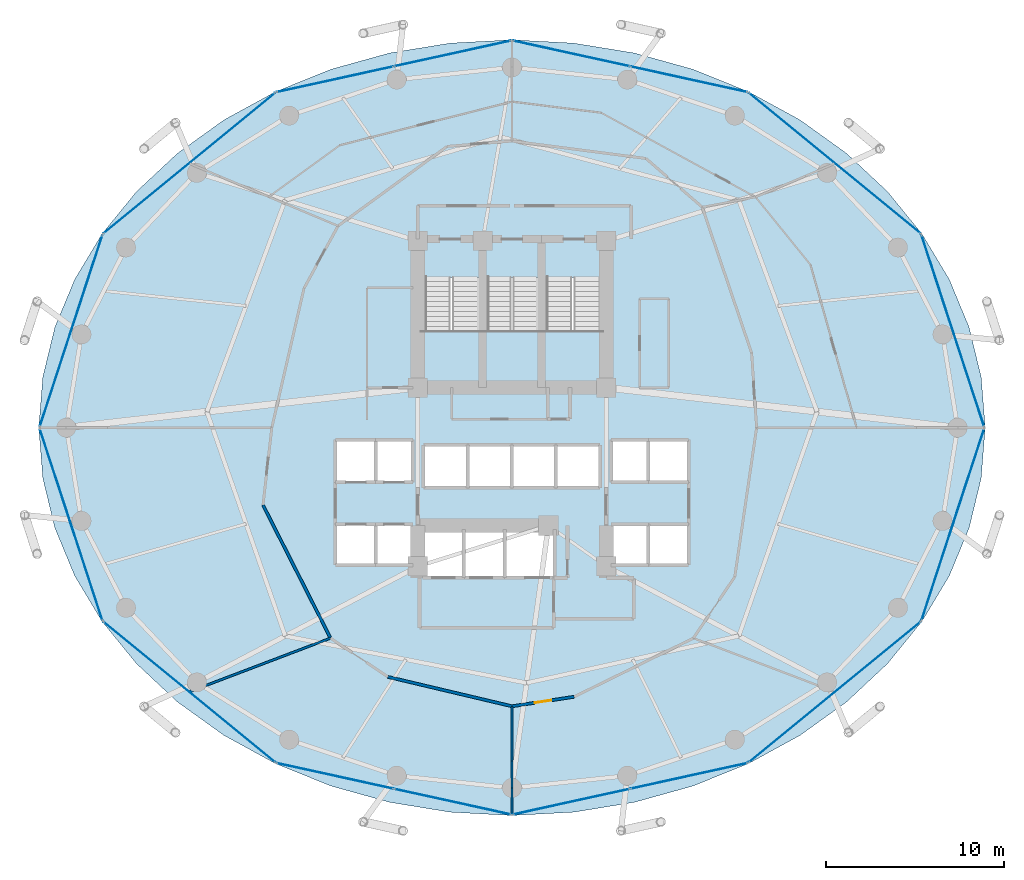
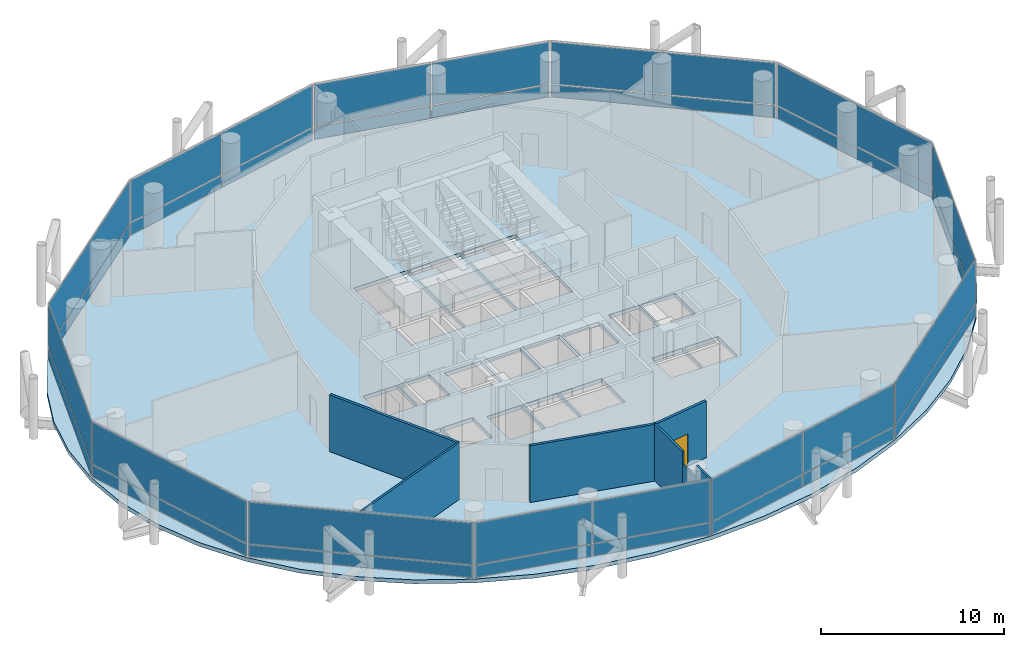
# One storey, part 20 of 25: 32 plates, 7 walls, 4 slabs, 1 door, 1 opening, 15 elements without a shape of their own.
"""IFC4 building model written with IfcOpenShell, lengths in metres."""

from ifc_helpers import new_model, si_unit, direction, frame, frame_2d, origin, origin_2d, place, context, subcontext, project, spatial, polyline, rectangle, outline, extrude, material, layer, layer_set, type_object, element, fill, aggregate, save


model = new_model("IFC4")

# Units and contexts
model_context = context("Model", 3, precision=1e-05, world=origin(), true_north=direction((0.0, 1.0)))
body_context = subcontext(model_context, "Body", "Model", "MODEL_VIEW")
ifc_project = project(units=[si_unit("LENGTHUNIT", "METRE"), si_unit("AREAUNIT", "SQUARE_METRE"), si_unit("VOLUMEUNIT", "CUBIC_METRE"), si_unit("PLANEANGLEUNIT", "RADIAN"), si_unit("MASSUNIT", "GRAM", prefix="KILO")], contexts=[model_context])

# Site, building, storey
site_placement = place(None, origin())
site = spatial("IfcSite", under=ifc_project, at=site_placement, CompositionType="ELEMENT")
building_placement = place(site_placement, origin())
building = spatial("IfcBuilding", under=site, at=building_placement, Name="Nuhasar Tower", CompositionType="ELEMENT")
storey_placement = place(building_placement, frame((0.0, 0.0, 49.35009765625)))
storey = spatial("IfcBuildingStorey", under=building, at=storey_placement, Name="L11", CompositionType="ELEMENT", Elevation=49.35009765625)

# Curtain wall, plate
ifc_material_1 = material(Name="Aluminium 6063-T6", Category="aluminium")
ifc_layer_1 = layer(ifc_material_1, 0.199951171875)
ifc_layer_set_1 = layer_set([ifc_layer_1], Name="Aluminium 6063-T6")
curtain_wall_type = type_object("IfcCurtainWallType", Name="CW-Z1-OFF", PredefinedType="NOTDEFINED", material=ifc_layer_set_1)
curtain_wall_1_placement = place(storey_placement, origin())
curtain_wall_1 = element("IfcCurtainWall", 1, at=curtain_wall_1_placement, inside=storey, type_object=curtain_wall_type, Name="L11 Unitised Curtain Wall 01", PredefinedType="NOTDEFINED")
ifc_material_2 = material(Name="Glass Double Low-E", Category="glass")
ifc_layer_2 = layer(ifc_material_2, 0.028076171875)
ifc_layer_set_2 = layer_set([ifc_layer_2], Name="Glass Double Low-E")
plate_type_1 = type_object("IfcPlateType", Name="CW-PANEL-GLZ", PredefinedType="CURTAIN_PANEL", material=ifc_layer_set_2)
plate_1_placement = place(storey_placement, frame((63.781005859375, 32.239990234375, 0.932373046875), z_axis=(0.0, 0.0, 1.0), x_axis=(-0.310823849997, 0.950467534571, 0.0)))
plate_1 = element("IfcPlate", 2, at=plate_1_placement, type_object=plate_type_1, Name="CW-Z1 panel 1.2", PredefinedType="CURTAIN_PANEL", context=body_context, shape_type="SweptSolid", body=[
    extrude(rectangle(XDim=11.31689453125, YDim=0.028076171875, at=origin_2d()), origin(), (0.0, 0.0, 1.0), 2.79248046875),
])

curtain_wall_2_placement = place(storey_placement, origin())
curtain_wall_2 = element("IfcCurtainWall", 3, at=curtain_wall_2_placement, inside=storey, type_object=curtain_wall_type, Name="L11 Unitised Curtain Wall 02", PredefinedType="NOTDEFINED")
plate_2_placement = place(storey_placement, frame((57.14111328125, 41.66259765625, 0.932373046875), z_axis=(0.0, 0.0, 1.0), x_axis=(-0.773542364946, 0.633744593376, 0.0)))
plate_2 = element("IfcPlate", 4, at=plate_2_placement, type_object=plate_type_1, Name="CW-Z1 panel 1.2", PredefinedType="CURTAIN_PANEL", context=body_context, shape_type="SweptSolid", body=[
    extrude(rectangle(XDim=12.438232421875, YDim=0.028076171875, at=origin_2d()), origin(), (0.0, 0.0, 1.0), 2.79248046875),
])

# Curtain wall, plates
curtain_wall_3_placement = place(storey_placement, origin())
curtain_wall_3 = element("IfcCurtainWall", 5, at=curtain_wall_3_placement, inside=storey, type_object=curtain_wall_type, Name="L11 Unitised Curtain Wall 03", PredefinedType="NOTDEFINED")
plate_3_placement = place(storey_placement, frame((48.944091796875, 46.377197265625, 0.932373046875), z_axis=(0.0, 0.0, 1.0), x_axis=(-0.976746221544, 0.214398737637, 0.0)))
plate_3 = element("IfcPlate", 6, at=plate_3_placement, type_object=plate_type_1, Name="CW-Z1 panel 1.2", PredefinedType="CURTAIN_PANEL", context=body_context, shape_type="SweptSolid", body=[
    extrude(rectangle(XDim=6.70068359375, YDim=0.028076171875, at=origin_2d()), origin(), (0.0, 0.0, 1.0), 2.79248046875),
])
plate_4_placement = place(storey_placement, frame((42.3359375, 47.827880859375, 0.932373046875), z_axis=(0.0, 0.0, 1.0), x_axis=(-0.976746221544, 0.214398737637, 0.0)))
plate_4 = element("IfcPlate", 7, at=plate_4_placement, type_object=plate_type_1, Name="CW-Z1 panel 2.2", PredefinedType="CURTAIN_PANEL", context=body_context, shape_type="SweptSolid", body=[
    extrude(rectangle(XDim=6.70068359375, YDim=0.028076171875, at=origin_2d()), origin(), (0.0, 0.0, 1.0), 2.79248046875),
])

curtain_wall_4_placement = place(storey_placement, origin())
curtain_wall_4 = element("IfcCurtainWall", 8, at=curtain_wall_4_placement, inside=storey, type_object=curtain_wall_type, Name="L11 Unitised Curtain Wall 04", PredefinedType="NOTDEFINED")
plate_5_placement = place(storey_placement, frame((35.6640625, 47.827880859375, 0.932373046875), z_axis=(0.0, 0.0, 1.0), x_axis=(-0.976746221544, -0.214398737637, 0.0)))
plate_5 = element("IfcPlate", 9, at=plate_5_placement, type_object=plate_type_1, Name="CW-Z1 panel 1.2", PredefinedType="CURTAIN_PANEL", context=body_context, shape_type="SweptSolid", body=[
    extrude(rectangle(XDim=6.70068359375, YDim=0.028076171875, at=origin_2d()), origin(), (0.0, 0.0, 1.0), 2.79248046875),
])
plate_6_placement = place(storey_placement, frame((29.055908203125, 46.377197265625, 0.932373046875), z_axis=(0.0, 0.0, 1.0), x_axis=(-0.976746221544, -0.214398737637, 0.0)))
plate_6 = element("IfcPlate", 10, at=plate_6_placement, type_object=plate_type_1, Name="CW-Z1 panel 2.2", PredefinedType="CURTAIN_PANEL", context=body_context, shape_type="SweptSolid", body=[
    extrude(rectangle(XDim=6.70068359375, YDim=0.028076171875, at=origin_2d()), origin(), (0.0, 0.0, 1.0), 2.79248046875),
])

# Curtain wall, plate
curtain_wall_5_placement = place(storey_placement, origin())
curtain_wall_5 = element("IfcCurtainWall", 11, at=curtain_wall_5_placement, inside=storey, type_object=curtain_wall_type, Name="L11 Unitised Curtain Wall 05", PredefinedType="NOTDEFINED")
plate_7_placement = place(storey_placement, frame((20.85888671875, 41.66259765625, 0.932373046875), z_axis=(0.0, 0.0, 1.0), x_axis=(-0.773542364946, -0.633744593376, 0.0)))
plate_7 = element("IfcPlate", 12, at=plate_7_placement, type_object=plate_type_1, Name="CW-Z1 panel 1.2", PredefinedType="CURTAIN_PANEL", context=body_context, shape_type="SweptSolid", body=[
    extrude(rectangle(XDim=12.438232421875, YDim=0.028076171875, at=origin_2d()), origin(), (0.0, 0.0, 1.0), 2.79248046875),
])

curtain_wall_6_placement = place(storey_placement, origin())
curtain_wall_6 = element("IfcCurtainWall", 13, at=curtain_wall_6_placement, inside=storey, type_object=curtain_wall_type, Name="L11 Unitised Curtain Wall 06", PredefinedType="NOTDEFINED")
plate_8_placement = place(storey_placement, frame((14.218994140625, 32.239990234375, 0.932373046875), z_axis=(0.0, 0.0, 1.0), x_axis=(-0.310823849997, -0.950467534571, 0.0)))
plate_8 = element("IfcPlate", 14, at=plate_8_placement, type_object=plate_type_1, Name="CW-Z1 panel 1.2", PredefinedType="CURTAIN_PANEL", context=body_context, shape_type="SweptSolid", body=[
    extrude(rectangle(XDim=11.31689453125, YDim=0.028076171875, at=origin_2d()), origin(), (0.0, 0.0, 1.0), 2.79248046875),
])

curtain_wall_7_placement = place(storey_placement, origin())
curtain_wall_7 = element("IfcCurtainWall", 15, at=curtain_wall_7_placement, inside=storey, type_object=curtain_wall_type, Name="L11 Unitised Curtain Wall 07", PredefinedType="NOTDEFINED")
plate_9_placement = place(storey_placement, frame((14.218994140625, 21.360107421875, 0.932373046875), z_axis=(0.0, 0.0, 1.0), x_axis=(0.310823849997, -0.950467534571, 0.0)))
plate_9 = element("IfcPlate", 16, at=plate_9_placement, type_object=plate_type_1, Name="CW-Z1 panel 1.2", PredefinedType="CURTAIN_PANEL", context=body_context, shape_type="SweptSolid", body=[
    extrude(rectangle(XDim=11.31689453125, YDim=0.028076171875, at=origin_2d()), origin(), (0.0, 0.0, 1.0), 2.79248046875),
])

curtain_wall_8_placement = place(storey_placement, origin())
curtain_wall_8 = element("IfcCurtainWall", 17, at=curtain_wall_8_placement, inside=storey, type_object=curtain_wall_type, Name="L11 Unitised Curtain Wall 08", PredefinedType="NOTDEFINED")
plate_10_placement = place(storey_placement, frame((20.85888671875, 11.9375, 0.932373046875), z_axis=(0.0, 0.0, 1.0), x_axis=(0.773542364946, -0.633744593376, 0.0)))
plate_10 = element("IfcPlate", 18, at=plate_10_placement, type_object=plate_type_1, Name="CW-Z1 panel 1.2", PredefinedType="CURTAIN_PANEL", context=body_context, shape_type="SweptSolid", body=[
    extrude(rectangle(XDim=12.438232421875, YDim=0.028076171875, at=origin_2d()), origin(), (0.0, 0.0, 1.0), 2.79248046875),
])

# Curtain wall, plates
curtain_wall_9_placement = place(storey_placement, origin())
curtain_wall_9 = element("IfcCurtainWall", 19, at=curtain_wall_9_placement, inside=storey, type_object=curtain_wall_type, Name="L11 Unitised Curtain Wall 09", PredefinedType="NOTDEFINED")
plate_11_placement = place(storey_placement, frame((29.055908203125, 7.22265625, 0.932373046875), z_axis=(0.0, 0.0, 1.0), x_axis=(0.976746221544, -0.214398737637, 0.0)))
plate_11 = element("IfcPlate", 20, at=plate_11_placement, type_object=plate_type_1, Name="CW-Z1 panel 1.2", PredefinedType="CURTAIN_PANEL", context=body_context, shape_type="SweptSolid", body=[
    extrude(rectangle(XDim=6.70068359375, YDim=0.028076171875, at=origin_2d()), origin(), (0.0, 0.0, 1.0), 2.79248046875),
])
plate_12_placement = place(storey_placement, frame((35.6640625, 5.772216796875, 0.932373046875), z_axis=(0.0, 0.0, 1.0), x_axis=(0.976746221544, -0.214398737637, 0.0)))
plate_12 = element("IfcPlate", 21, at=plate_12_placement, type_object=plate_type_1, Name="CW-Z1 panel 2.2", PredefinedType="CURTAIN_PANEL", context=body_context, shape_type="SweptSolid", body=[
    extrude(rectangle(XDim=6.70068359375, YDim=0.028076171875, at=origin_2d()), origin(), (0.0, 0.0, 1.0), 2.79248046875),
])

curtain_wall_10_placement = place(storey_placement, origin())
curtain_wall_10 = element("IfcCurtainWall", 22, at=curtain_wall_10_placement, inside=storey, type_object=curtain_wall_type, Name="L11 Unitised Curtain Wall 10", PredefinedType="NOTDEFINED")
plate_13_placement = place(storey_placement, frame((42.3359375, 5.772216796875, 0.932373046875), z_axis=(0.0, 0.0, 1.0), x_axis=(0.976746221544, 0.214398737637, 0.0)))
plate_13 = element("IfcPlate", 23, at=plate_13_placement, type_object=plate_type_1, Name="CW-Z1 panel 1.2", PredefinedType="CURTAIN_PANEL", context=body_context, shape_type="SweptSolid", body=[
    extrude(rectangle(XDim=6.70068359375, YDim=0.028076171875, at=origin_2d()), origin(), (0.0, 0.0, 1.0), 2.79248046875),
])
plate_14_placement = place(storey_placement, frame((48.944091796875, 7.22265625, 0.932373046875), z_axis=(0.0, 0.0, 1.0), x_axis=(0.976746221544, 0.214398737637, 0.0)))
plate_14 = element("IfcPlate", 24, at=plate_14_placement, type_object=plate_type_1, Name="CW-Z1 panel 2.2", PredefinedType="CURTAIN_PANEL", context=body_context, shape_type="SweptSolid", body=[
    extrude(rectangle(XDim=6.70068359375, YDim=0.028076171875, at=origin_2d()), origin(), (0.0, 0.0, 1.0), 2.79248046875),
])

# Curtain wall, plate
curtain_wall_11_placement = place(storey_placement, origin())
curtain_wall_11 = element("IfcCurtainWall", 25, at=curtain_wall_11_placement, inside=storey, type_object=curtain_wall_type, Name="L11 Unitised Curtain Wall 11", PredefinedType="NOTDEFINED")
plate_15_placement = place(storey_placement, frame((57.14111328125, 11.9375, 0.932373046875), z_axis=(0.0, 0.0, 1.0), x_axis=(0.773542364946, 0.633744593376, 0.0)))
plate_15 = element("IfcPlate", 26, at=plate_15_placement, type_object=plate_type_1, Name="CW-Z1 panel 1.2", PredefinedType="CURTAIN_PANEL", context=body_context, shape_type="SweptSolid", body=[
    extrude(rectangle(XDim=12.438232421875, YDim=0.028076171875, at=origin_2d()), origin(), (0.0, 0.0, 1.0), 2.79248046875),
])

curtain_wall_12_placement = place(storey_placement, origin())
curtain_wall_12 = element("IfcCurtainWall", 27, at=curtain_wall_12_placement, inside=storey, type_object=curtain_wall_type, Name="L11 Unitised Curtain Wall 12", PredefinedType="NOTDEFINED")
plate_16_placement = place(storey_placement, frame((63.781005859375, 21.360107421875, 0.932373046875), z_axis=(0.0, 0.0, 1.0), x_axis=(0.310823849997, 0.950467534571, 0.0)))
plate_16 = element("IfcPlate", 28, at=plate_16_placement, type_object=plate_type_1, Name="CW-Z1 panel 1.2", PredefinedType="CURTAIN_PANEL", context=body_context, shape_type="SweptSolid", body=[
    extrude(rectangle(XDim=11.31689453125, YDim=0.028076171875, at=origin_2d()), origin(), (0.0, 0.0, 1.0), 2.79248046875),
])

# Plate
ifc_material_3 = material(Name="Glass Spandrel", Category="glass")
ifc_layer_3 = layer(ifc_material_3, 0.035888671875)
ifc_layer_set_3 = layer_set([ifc_layer_3], Name="Glass Spandrel")
plate_type_2 = type_object("IfcPlateType", Name="CW-PANEL-SPN", PredefinedType="CURTAIN_PANEL", material=ifc_layer_set_3)
plate_17_placement = place(storey_placement, frame((63.781005859375, 32.239990234375, 0.06494140625), z_axis=(0.0, 0.0, 1.0), x_axis=(-0.310823849997, 0.950467534571, 0.0)))
plate_17 = element("IfcPlate", 29, at=plate_17_placement, type_object=plate_type_2, Name="CW-Z1 panel 1.1", PredefinedType="CURTAIN_PANEL", context=body_context, shape_type="SweptSolid", body=[
    extrude(rectangle(XDim=11.31689453125, YDim=0.035888671875, at=origin_2d()), origin(), (0.0, 0.0, 1.0), 0.802490234375),
])

aggregate(curtain_wall_1, [plate_17, plate_1])

plate_18_placement = place(storey_placement, frame((57.14111328125, 41.66259765625, 0.06494140625), z_axis=(0.0, 0.0, 1.0), x_axis=(-0.773542364946, 0.633744593376, 0.0)))
plate_18 = element("IfcPlate", 30, at=plate_18_placement, type_object=plate_type_2, Name="CW-Z1 panel 1.1", PredefinedType="CURTAIN_PANEL", context=body_context, shape_type="SweptSolid", body=[
    extrude(rectangle(XDim=12.438232421875, YDim=0.035888671875, at=origin_2d()), origin(), (0.0, 0.0, 1.0), 0.802490234375),
])

aggregate(curtain_wall_2, [plate_18, plate_2])

plate_19_placement = place(storey_placement, frame((48.944091796875, 46.377197265625, 0.06494140625), z_axis=(0.0, 0.0, 1.0), x_axis=(-0.976746221544, 0.214398737637, 0.0)))
plate_19 = element("IfcPlate", 31, at=plate_19_placement, type_object=plate_type_2, Name="CW-Z1 panel 1.1", PredefinedType="CURTAIN_PANEL", context=body_context, shape_type="SweptSolid", body=[
    extrude(rectangle(XDim=6.70068359375, YDim=0.035888671875, at=origin_2d()), origin(), (0.0, 0.0, 1.0), 0.802490234375),
])

plate_20_placement = place(storey_placement, frame((42.3359375, 47.827880859375, 0.06494140625), z_axis=(0.0, 0.0, 1.0), x_axis=(-0.976746221544, 0.214398737637, 0.0)))
plate_20 = element("IfcPlate", 32, at=plate_20_placement, type_object=plate_type_2, Name="CW-Z1 panel 2.1", PredefinedType="CURTAIN_PANEL", context=body_context, shape_type="SweptSolid", body=[
    extrude(rectangle(XDim=6.70068359375, YDim=0.035888671875, at=origin_2d()), origin(), (0.0, 0.0, 1.0), 0.802490234375),
])

aggregate(curtain_wall_3, [plate_19, plate_3, plate_20, plate_4])

plate_21_placement = place(storey_placement, frame((35.6640625, 47.827880859375, 0.06494140625), z_axis=(0.0, 0.0, 1.0), x_axis=(-0.976746221544, -0.214398737637, 0.0)))
plate_21 = element("IfcPlate", 33, at=plate_21_placement, type_object=plate_type_2, Name="CW-Z1 panel 1.1", PredefinedType="CURTAIN_PANEL", context=body_context, shape_type="SweptSolid", body=[
    extrude(rectangle(XDim=6.70068359375, YDim=0.035888671875, at=origin_2d()), origin(), (0.0, 0.0, 1.0), 0.802490234375),
])

plate_22_placement = place(storey_placement, frame((29.055908203125, 46.377197265625, 0.06494140625), z_axis=(0.0, 0.0, 1.0), x_axis=(-0.976746221544, -0.214398737637, 0.0)))
plate_22 = element("IfcPlate", 34, at=plate_22_placement, type_object=plate_type_2, Name="CW-Z1 panel 2.1", PredefinedType="CURTAIN_PANEL", context=body_context, shape_type="SweptSolid", body=[
    extrude(rectangle(XDim=6.70068359375, YDim=0.035888671875, at=origin_2d()), origin(), (0.0, 0.0, 1.0), 0.802490234375),
])

aggregate(curtain_wall_4, [plate_21, plate_5, plate_22, plate_6])

plate_23_placement = place(storey_placement, frame((20.85888671875, 41.66259765625, 0.06494140625), z_axis=(0.0, 0.0, 1.0), x_axis=(-0.773542364946, -0.633744593376, 0.0)))
plate_23 = element("IfcPlate", 35, at=plate_23_placement, type_object=plate_type_2, Name="CW-Z1 panel 1.1", PredefinedType="CURTAIN_PANEL", context=body_context, shape_type="SweptSolid", body=[
    extrude(rectangle(XDim=12.438232421875, YDim=0.035888671875, at=origin_2d()), origin(), (0.0, 0.0, 1.0), 0.802490234375),
])

aggregate(curtain_wall_5, [plate_23, plate_7])

plate_24_placement = place(storey_placement, frame((14.218994140625, 32.239990234375, 0.06494140625), z_axis=(0.0, 0.0, 1.0), x_axis=(-0.310823849997, -0.950467534571, 0.0)))
plate_24 = element("IfcPlate", 36, at=plate_24_placement, type_object=plate_type_2, Name="CW-Z1 panel 1.1", PredefinedType="CURTAIN_PANEL", context=body_context, shape_type="SweptSolid", body=[
    extrude(rectangle(XDim=11.31689453125, YDim=0.035888671875, at=origin_2d()), origin(), (0.0, 0.0, 1.0), 0.802490234375),
])

aggregate(curtain_wall_6, [plate_24, plate_8])

plate_25_placement = place(storey_placement, frame((14.218994140625, 21.360107421875, 0.06494140625), z_axis=(0.0, 0.0, 1.0), x_axis=(0.310823849997, -0.950467534571, 0.0)))
plate_25 = element("IfcPlate", 37, at=plate_25_placement, type_object=plate_type_2, Name="CW-Z1 panel 1.1", PredefinedType="CURTAIN_PANEL", context=body_context, shape_type="SweptSolid", body=[
    extrude(rectangle(XDim=11.31689453125, YDim=0.035888671875, at=origin_2d()), origin(), (0.0, 0.0, 1.0), 0.802490234375),
])

aggregate(curtain_wall_7, [plate_25, plate_9])

plate_26_placement = place(storey_placement, frame((20.85888671875, 11.9375, 0.06494140625), z_axis=(0.0, 0.0, 1.0), x_axis=(0.773542364946, -0.633744593376, 0.0)))
plate_26 = element("IfcPlate", 38, at=plate_26_placement, type_object=plate_type_2, Name="CW-Z1 panel 1.1", PredefinedType="CURTAIN_PANEL", context=body_context, shape_type="SweptSolid", body=[
    extrude(rectangle(XDim=12.438232421875, YDim=0.035888671875, at=origin_2d()), origin(), (0.0, 0.0, 1.0), 0.802490234375),
])

aggregate(curtain_wall_8, [plate_26, plate_10])

plate_27_placement = place(storey_placement, frame((29.055908203125, 7.22265625, 0.06494140625), z_axis=(0.0, 0.0, 1.0), x_axis=(0.976746221544, -0.214398737637, 0.0)))
plate_27 = element("IfcPlate", 39, at=plate_27_placement, type_object=plate_type_2, Name="CW-Z1 panel 1.1", PredefinedType="CURTAIN_PANEL", context=body_context, shape_type="SweptSolid", body=[
    extrude(rectangle(XDim=6.70068359375, YDim=0.035888671875, at=origin_2d()), origin(), (0.0, 0.0, 1.0), 0.802490234375),
])

plate_28_placement = place(storey_placement, frame((35.6640625, 5.772216796875, 0.06494140625), z_axis=(0.0, 0.0, 1.0), x_axis=(0.976746221544, -0.214398737637, 0.0)))
plate_28 = element("IfcPlate", 40, at=plate_28_placement, type_object=plate_type_2, Name="CW-Z1 panel 2.1", PredefinedType="CURTAIN_PANEL", context=body_context, shape_type="SweptSolid", body=[
    extrude(rectangle(XDim=6.70068359375, YDim=0.035888671875, at=origin_2d()), origin(), (0.0, 0.0, 1.0), 0.802490234375),
])

aggregate(curtain_wall_9, [plate_27, plate_11, plate_28, plate_12])

plate_29_placement = place(storey_placement, frame((42.3359375, 5.772216796875, 0.06494140625), z_axis=(0.0, 0.0, 1.0), x_axis=(0.976746221544, 0.214398737637, 0.0)))
plate_29 = element("IfcPlate", 41, at=plate_29_placement, type_object=plate_type_2, Name="CW-Z1 panel 1.1", PredefinedType="CURTAIN_PANEL", context=body_context, shape_type="SweptSolid", body=[
    extrude(rectangle(XDim=6.70068359375, YDim=0.035888671875, at=origin_2d()), origin(), (0.0, 0.0, 1.0), 0.802490234375),
])

plate_30_placement = place(storey_placement, frame((48.944091796875, 7.22265625, 0.06494140625), z_axis=(0.0, 0.0, 1.0), x_axis=(0.976746221544, 0.214398737637, 0.0)))
plate_30 = element("IfcPlate", 42, at=plate_30_placement, type_object=plate_type_2, Name="CW-Z1 panel 2.1", PredefinedType="CURTAIN_PANEL", context=body_context, shape_type="SweptSolid", body=[
    extrude(rectangle(XDim=6.70068359375, YDim=0.035888671875, at=origin_2d()), origin(), (0.0, 0.0, 1.0), 0.802490234375),
])

aggregate(curtain_wall_10, [plate_29, plate_13, plate_30, plate_14])

plate_31_placement = place(storey_placement, frame((57.14111328125, 11.9375, 0.06494140625), z_axis=(0.0, 0.0, 1.0), x_axis=(0.773542364946, 0.633744593376, 0.0)))
plate_31 = element("IfcPlate", 43, at=plate_31_placement, type_object=plate_type_2, Name="CW-Z1 panel 1.1", PredefinedType="CURTAIN_PANEL", context=body_context, shape_type="SweptSolid", body=[
    extrude(rectangle(XDim=12.438232421875, YDim=0.035888671875, at=origin_2d()), origin(), (0.0, 0.0, 1.0), 0.802490234375),
])

aggregate(curtain_wall_11, [plate_31, plate_15])

plate_32_placement = place(storey_placement, frame((63.781005859375, 21.360107421875, 0.06494140625), z_axis=(0.0, 0.0, 1.0), x_axis=(0.310823849997, 0.950467534571, 0.0)))
plate_32 = element("IfcPlate", 44, at=plate_32_placement, type_object=plate_type_2, Name="CW-Z1 panel 1.1", PredefinedType="CURTAIN_PANEL", context=body_context, shape_type="SweptSolid", body=[
    extrude(rectangle(XDim=11.31689453125, YDim=0.035888671875, at=origin_2d()), origin(), (0.0, 0.0, 1.0), 0.802490234375),
])

aggregate(curtain_wall_12, [plate_32, plate_16])

# Stair, slab
ifc_material_4 = material(Name="Concrete C45/55", Category="concrete")
stair_type_1 = type_object("IfcStairType", Name="STR-ST-01-2F-24R-1688", PredefinedType="HALF_TURN_STAIR", material=ifc_material_4)
stair_1_placement = place(storey_placement, origin())
stair_1 = element("IfcStair", 45, at=stair_1_placement, inside=storey, type_object=stair_type_1, Name="L11 Exit Stair ST-01", PredefinedType="HALF_TURN_STAIR")
ifc_layer_4 = layer(ifc_material_4, 0.239990234375)
ifc_layer_set_4 = layer_set([ifc_layer_4], Name="Concrete C45/55")
slab_type_1 = type_object("IfcSlabType", Name="SLB-STAIR-LND-240", PredefinedType="LANDING", material=ifc_layer_set_4)
slab_1_placement = place(storey_placement, frame((0.0, 0.0, 1.784912109375)))
slab_1 = element("IfcSlab", 46, at=slab_1_placement, type_object=slab_type_1, Name="ST-01 landing 1", PredefinedType="LANDING", context=body_context, shape_type="SweptSolid", body=[
    extrude(outline(polyline([(33.699951171875, 28.75), (37.35009765625, 28.75), (37.35009765625, 32.239990234375), (33.699951171875, 32.239990234375), (33.699951171875, 28.75)])), origin(), (0.0, 0.0, 1.0), 0.239990234375),
])
aggregate(stair_1, [slab_1])

stair_type_2 = type_object("IfcStairType", Name="STR-ST-03-2F-24R-1688", PredefinedType="HALF_TURN_STAIR", material=ifc_material_4)
stair_2_placement = place(storey_placement, origin())
stair_2 = element("IfcStair", 47, at=stair_2_placement, inside=storey, type_object=stair_type_2, Name="L11 Exit Stair ST-03", PredefinedType="HALF_TURN_STAIR")
slab_2_placement = place(storey_placement, frame((0.0, 0.0, 1.784912109375)))
slab_2 = element("IfcSlab", 48, at=slab_2_placement, type_object=slab_type_1, Name="ST-03 landing 1", PredefinedType="LANDING", context=body_context, shape_type="SweptSolid", body=[
    extrude(outline(polyline([(37.35009765625, 28.75), (40.64990234375, 28.75), (40.64990234375, 32.239990234375), (37.35009765625, 32.239990234375), (37.35009765625, 28.75)])), origin(), (0.0, 0.0, 1.0), 0.239990234375),
])
aggregate(stair_2, [slab_2])

stair_type_3 = type_object("IfcStairType", Name="STR-ST-02-2F-24R-1688", PredefinedType="HALF_TURN_STAIR", material=ifc_material_4)
stair_3_placement = place(storey_placement, origin())
stair_3 = element("IfcStair", 49, at=stair_3_placement, inside=storey, type_object=stair_type_3, Name="L11 Exit Stair ST-02", PredefinedType="HALF_TURN_STAIR")
slab_3_placement = place(storey_placement, frame((0.0, 0.0, 1.784912109375)))
slab_3 = element("IfcSlab", 50, at=slab_3_placement, type_object=slab_type_1, Name="ST-02 landing 1", PredefinedType="LANDING", context=body_context, shape_type="SweptSolid", body=[
    extrude(outline(polyline([(40.64990234375, 28.75), (44.300048828125, 28.75), (44.300048828125, 32.239990234375), (40.64990234375, 32.239990234375), (40.64990234375, 28.75)])), origin(), (0.0, 0.0, 1.0), 0.239990234375),
])
aggregate(stair_3, [slab_3])

# Slab
ifc_material_5 = material(Name="Concrete C50/60", Category="concrete")
ifc_layer_5 = layer(ifc_material_5, 0.260009765625)
ifc_layer_set_5 = layer_set([ifc_layer_5], Name="Concrete C50/60")
slab_type_2 = type_object("IfcSlabType", Name="SLB-Z1A-260", PredefinedType="FLOOR", material=ifc_layer_set_5)
slab_4_placement = place(storey_placement, frame((0.0, 0.0, -0.260009765625)))
element("IfcSlab", 51, at=slab_4_placement, inside=storey, type_object=slab_type_2, Name="L11 Structural Slab", PredefinedType="FLOOR", context=body_context, shape_type="SweptSolid", body=[
    extrude(outline(polyline([(65.60009765625, 26.800048828125), (65.3720703125, 29.64501953125), (64.694091796875, 32.44189453125), (63.574951171875, 35.14208984375), (62.035888671875, 37.699951171875), (60.10302734375, 40.071044921875), (57.80908203125, 42.215087890625), (55.193115234375, 44.094970703125), (52.300048828125, 45.678955078125), (49.178955078125, 46.94091796875), (45.885009765625, 47.85693359375), (42.471923828125, 48.4130859375), (39.0, 48.60009765625), (35.528076171875, 48.4130859375), (32.114990234375, 47.85693359375), (28.821044921875, 46.94091796875), (25.699951171875, 45.678955078125), (22.806884765625, 44.094970703125), (20.19091796875, 42.215087890625), (17.89697265625, 40.071044921875), (15.964111328125, 37.699951171875), (14.425048828125, 35.14208984375), (13.305908203125, 32.44189453125), (12.6279296875, 29.64501953125), (12.39990234375, 26.800048828125), (12.6279296875, 23.955078125), (13.305908203125, 21.157958984375), (14.425048828125, 18.4580078125), (15.964111328125, 15.89990234375), (17.89697265625, 13.529052734375), (20.19091796875, 11.385009765625), (22.806884765625, 9.5048828125), (25.699951171875, 7.9208984375), (28.821044921875, 6.658935546875), (32.114990234375, 5.742919921875), (35.528076171875, 5.18701171875), (39.0, 5.0), (42.471923828125, 5.18701171875), (45.885009765625, 5.742919921875), (49.178955078125, 6.658935546875), (52.300048828125, 7.9208984375), (55.193115234375, 9.5048828125), (57.80908203125, 11.385009765625), (60.10302734375, 13.529052734375), (62.035888671875, 15.89990234375), (63.574951171875, 18.4580078125), (64.694091796875, 21.157958984375), (65.3720703125, 23.955078125), (65.60009765625, 26.800048828125)]), holes=[polyline([(33.8798828125, 35.25), (37.300048828125, 35.25), (37.300048828125, 29.0), (33.8798828125, 29.0), (33.8798828125, 35.25)]), polyline([(37.39990234375, 35.25), (40.60009765625, 35.25), (40.60009765625, 29.0), (37.39990234375, 29.0), (37.39990234375, 35.25)]), polyline([(40.699951171875, 35.25), (44.1201171875, 35.25), (44.1201171875, 29.0), (40.699951171875, 29.0), (40.699951171875, 35.25)]), polyline([(29.14990234375, 26.050048828125), (31.300048828125, 26.050048828125), (31.300048828125, 23.800048828125), (29.14990234375, 23.800048828125), (29.14990234375, 26.050048828125)]), polyline([(31.39990234375, 26.050048828125), (33.35009765625, 26.050048828125), (33.35009765625, 23.800048828125), (31.39990234375, 23.800048828125), (31.39990234375, 26.050048828125)]), polyline([(29.14990234375, 21.300048828125), (31.300048828125, 21.300048828125), (31.300048828125, 19.14990234375), (29.14990234375, 19.14990234375), (29.14990234375, 21.300048828125)]), polyline([(31.39990234375, 21.300048828125), (33.35009765625, 21.300048828125), (33.35009765625, 19.14990234375), (31.39990234375, 19.14990234375), (31.39990234375, 21.300048828125)]), polyline([(44.64990234375, 26.050048828125), (46.60009765625, 26.050048828125), (46.60009765625, 23.800048828125), (44.64990234375, 23.800048828125), (44.64990234375, 26.050048828125)]), polyline([(46.699951171875, 26.050048828125), (48.85009765625, 26.050048828125), (48.85009765625, 23.800048828125), (46.699951171875, 23.800048828125), (46.699951171875, 26.050048828125)]), polyline([(44.64990234375, 21.300048828125), (46.60009765625, 21.300048828125), (46.60009765625, 19.14990234375), (44.64990234375, 19.14990234375), (44.64990234375, 21.300048828125)]), polyline([(46.699951171875, 21.300048828125), (48.85009765625, 21.300048828125), (48.85009765625, 19.14990234375), (46.699951171875, 19.14990234375), (46.699951171875, 21.300048828125)]), polyline([(34.10009765625, 25.75), (36.43994140625, 25.75), (36.43994140625, 23.5), (34.10009765625, 23.5), (34.10009765625, 25.75)]), polyline([(36.580078125, 25.75), (38.919921875, 25.75), (38.919921875, 23.5), (36.580078125, 23.5), (36.580078125, 25.75)]), polyline([(39.06005859375, 25.75), (41.39990234375, 25.75), (41.39990234375, 23.5), (39.06005859375, 23.5), (39.06005859375, 25.75)]), polyline([(41.5400390625, 25.75), (43.8798828125, 25.75), (43.8798828125, 23.5), (41.5400390625, 23.5), (41.5400390625, 25.75)]), polyline([(34.050048828125, 21.0), (36.25, 21.0), (36.25, 18.449951171875), (34.050048828125, 18.449951171875), (34.050048828125, 21.0)]), polyline([(36.35009765625, 21.0), (38.550048828125, 21.0), (38.550048828125, 18.449951171875), (36.35009765625, 18.449951171875), (36.35009765625, 21.0)]), polyline([(38.64990234375, 21.0), (41.320068359375, 21.0), (41.320068359375, 18.449951171875), (38.64990234375, 18.449951171875), (38.64990234375, 21.0)])]), origin(), (0.0, 0.0, 1.0), 0.260009765625),
])

# Walls
ifc_material_6 = material(Name="Gypsum Board", Category="gypsum")
ifc_layer_6 = layer(ifc_material_6, 0.159912109375)
ifc_layer_set_6 = layer_set([ifc_layer_6], Name="Gypsum Board")
wall_type_1 = type_object("IfcWallType", Name="WL-CORR-160", PredefinedType="PARTITIONING", material=ifc_layer_set_6)
wall_1_placement = place(storey_placement, frame((25.0048828125, 22.449951171875, 0.0), z_axis=(0.0, 0.0, 1.0), x_axis=(0.452560985886, -0.8917334546, 0.0)))
element("IfcWall", 52, at=wall_1_placement, inside=storey, type_object=wall_type_1, Name="L11 Interior Partition CORR-26", PredefinedType="PARTITIONING", context=body_context, shape_type="SweptSolid", body=[
    extrude(rectangle(XDim=8.38818359375, YDim=0.159912109375, at=frame_2d((4.194091796875, 0.0))), origin(), (0.0, 0.0, 1.0), 3.789794921875),
])
wall_2_placement = place(storey_placement, frame((32.027099609375, 12.7900390625, 0.0), z_axis=(0.0, 0.0, 1.0), x_axis=(0.973121894952, -0.230290637162, 0.0)))
element("IfcWall", 53, at=wall_2_placement, inside=storey, type_object=wall_type_1, Name="L11 Interior Partition CORR-32", PredefinedType="PARTITIONING", context=body_context, shape_type="SweptSolid", body=[
    extrude(rectangle(XDim=7.16552734375, YDim=0.159912109375, at=frame_2d((3.582763671875, 0.0))), origin(), (0.0, 0.0, 1.0), 3.789794921875),
])

# Wall, opening, door
wall_3_placement = place(storey_placement, frame((42.493896484375, 11.674072265625, 0.0), z_axis=(0.0, 0.0, 1.0), x_axis=(-0.988513405878, -0.151133207467, 0.0)))
wall_3 = element("IfcWall", 54, at=wall_3_placement, inside=storey, type_object=wall_type_1, Name="L11 Interior Partition CORR-36", PredefinedType="PARTITIONING", context=body_context, shape_type="SweptSolid", body=[
    extrude(rectangle(XDim=3.534423828125, YDim=0.159912109375, at=frame_2d((1.76708984375, 0.0))), origin(), (0.0, 0.0, 1.0), 3.789794921875),
])
opening_placement = place(wall_3_placement, frame((1.2919921875, 0.0, 0.0)))
opening = element("IfcOpeningElement", 55, at=opening_placement, cuts=wall_3, Name="Opening DO-01", PredefinedType="OPENING", context=body_context, shape_type="SweptSolid", body=[
    extrude(rectangle(XDim=0.949951171875, YDim=2.14990234375, at=frame_2d((0.47509765625, 1.074951171875))), frame((0.0, 0.08984375, 0.0), z_axis=(0.0, -1.0, 0.0), x_axis=(1.0, 0.0, 0.0)), (0.0, 0.0, 1.0), 0.179931640625),
])
ifc_material_7 = material(Name="Timber Oak", Category="wood")
door_type = type_object("IfcDoorType", Name="DR-OFFICE-FD30-950", OperationType="NOTDEFINED", PredefinedType="DOOR", material=ifc_material_7)
door_placement = place(opening_placement, origin())
door = element("IfcDoor", 56, at=door_placement, inside=storey, type_object=door_type, Name="L11 Legal Chambers D Entry Door", OperationType="SINGLE_SWING_LEFT", OverallHeight=2.14990234375, OverallWidth=0.949951171875, PredefinedType="DOOR", context=body_context, shape_type="SweptSolid", body=[
    extrude(rectangle(XDim=0.949951171875, YDim=2.14990234375, at=frame_2d((0.47509765625, 1.074951171875))), frame((0.0, 0.02490234375, 0.0), z_axis=(0.0, -1.0, 0.0), x_axis=(1.0, 0.0, 0.0)), (0.0, 0.0, 1.0), 0.050048828125),
])
fill(opening, door)

# Walls
ifc_layer_7 = layer(ifc_material_6, 0.125)
ifc_layer_set_7 = layer_set([ifc_layer_7], Name="Gypsum Board")
wall_type_2 = type_object("IfcWallType", Name="WL-PART-125", PredefinedType="PARTITIONING", material=ifc_layer_set_7)
wall_4_placement = place(storey_placement, frame((28.801025390625, 14.969970703125, 0.0), z_axis=(0.0, 0.0, 1.0), x_axis=(-0.934813821548, -0.355138168947, 0.0)))
element("IfcWall", 57, at=wall_4_placement, inside=storey, type_object=wall_type_2, Name="L11 Interior Partition ORAD-30", PredefinedType="PARTITIONING", context=body_context, shape_type="SweptSolid", body=[
    extrude(rectangle(XDim=8.47021484375, YDim=0.125, at=frame_2d((4.235107421875, 0.0))), origin(), (0.0, 0.0, 1.0), 3.789794921875),
])
wall_5_placement = place(storey_placement, frame((39.0, 11.139892578125, 0.0), z_axis=(0.0, 0.0, 1.0), x_axis=(0.0, -1.0, 0.0)))
element("IfcWall", 58, at=wall_5_placement, inside=storey, type_object=wall_type_2, Name="L11 Interior Partition ORAD-36", PredefinedType="PARTITIONING", context=body_context, shape_type="SweptSolid", body=[
    extrude(rectangle(XDim=3.079833984375, YDim=0.125, at=frame_2d((1.5400390625, 0.0))), origin(), (0.0, 0.0, 1.0), 3.789794921875),
])
wall_6_placement = place(storey_placement, frame((39.0, 8.06005859375, 0.0), z_axis=(0.0, 0.0, 1.0), x_axis=(0.0, -1.0, 0.0)))
element("IfcWall", 59, at=wall_6_placement, inside=storey, type_object=wall_type_2, Name="L11 Interior Partition ORAD-36", PredefinedType="PARTITIONING", context=body_context, shape_type="SweptSolid", body=[
    extrude(rectangle(XDim=1.51904296875, YDim=0.125, at=frame_2d((0.759521484375, 0.0))), origin(), (0.0, 0.0, 1.0), 2.929931640625),
])
wall_7_placement = place(storey_placement, frame((39.0, 6.541015625, 0.0), z_axis=(0.0, 0.0, 1.0), x_axis=(0.0, -1.0, 0.0)))
element("IfcWall", 60, at=wall_7_placement, inside=storey, type_object=wall_type_2, Name="L11 Interior Partition ORAD-36", PredefinedType="PARTITIONING", context=body_context, shape_type="SweptSolid", body=[
    extrude(rectangle(XDim=1.466064453125, YDim=0.125, at=frame_2d((0.73291015625, 0.0))), origin(), (0.0, 0.0, 1.0), 3.789794921875),
])

save(model, "model.ifc")
